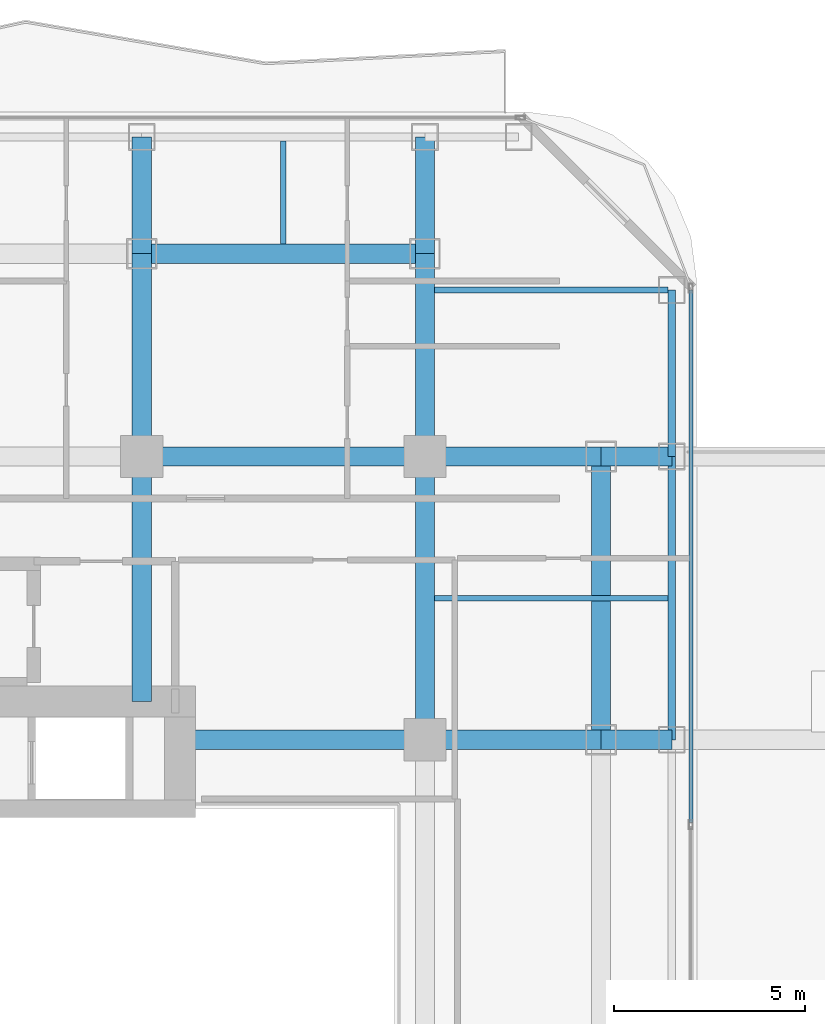
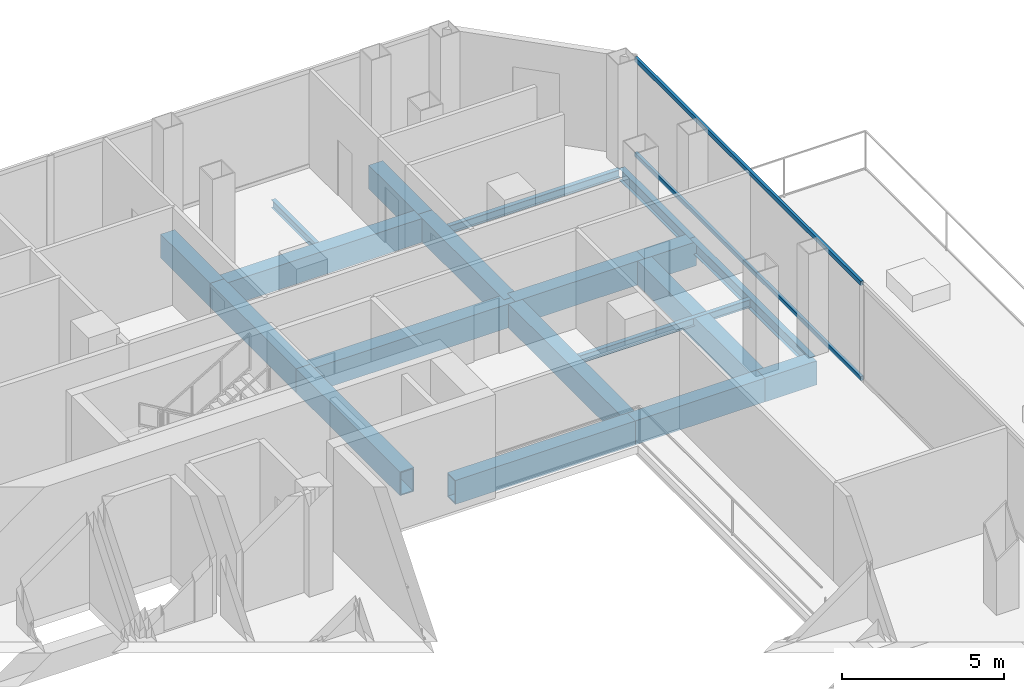
# One storey, part 15 of 27: 19 beams, 2 members, 1 element without a shape of its own.
"""IFC4 building model written with IfcOpenShell, lengths in metres."""

import ifcopenshell
import ifcopenshell.guid

model = None  # the IFC model being written
_history = None  # IfcOwnerHistory: only IFC2X3 demands one
_inside = {}  # id of a spatial element -> (the spatial element, [elements in it])
_under = {}  # id of a project, library or spatial element -> (it, [spatial elements below it])
_declared = {}  # id of a project -> (the project, [libraries it declares])
_typed = {}  # id of a type object -> (the type object, [elements of that type])
_made_of = {}  # id of a material, layer set ... -> (it, [elements and type objects made of it])


def new_model(schema):
    """Start an empty IFC model of exactly this schema.

    Asked for "IFC4X3", IfcOpenShell would pick the latest addendum, in which some entities
    have other attributes; the version numbers below select the first issue.
    IFC2X3 requires an IfcOwnerHistory on every rooted entity: one is made here for all.
    """
    global model, _history
    if schema == "IFC4X3":
        model = ifcopenshell.file(schema_version=(4, 3, 0, 0))
    else:
        model = ifcopenshell.file(schema=schema)
    _inside.clear()
    _under.clear()
    _declared.clear()
    _typed.clear()
    _made_of.clear()
    _history = None
    if model.schema == "IFC2X3":
        org = make("IfcOrganization", Name="unknown")
        user = make(
            "IfcPersonAndOrganization",
            ThePerson=make("IfcPerson", FamilyName="unknown"),
            TheOrganization=org,
        )
        app = make(
            "IfcApplication",
            ApplicationDeveloper=org,
            Version="unknown",
            ApplicationFullName="unknown",
            ApplicationIdentifier="unknown",
        )
        _history = make(
            "IfcOwnerHistory",
            OwningUser=user,
            OwningApplication=app,
            ChangeAction="ADDED",
            CreationDate=0,
        )
    return model


def make(cls, **values):
    """One entity of the class cls with the attributes given. An attribute that is None is left unset."""
    return model.create_entity(
        cls, **{name: value for name, value in values.items() if value is not None}
    )


def rooted(cls, **values):
    """An entity with a GlobalId (a new one), such as an element, a storey or a relation."""
    return make(cls, GlobalId=ifcopenshell.guid.new(), OwnerHistory=_history, **values)


def si_unit(unit_type, name, prefix=None):
    """IfcSIUnit, for example si_unit("LENGTHUNIT", "METRE", prefix="MILLI")."""
    return make("IfcSIUnit", UnitType=unit_type, Prefix=prefix, Name=name)


def assignment(units):
    """IfcUnitAssignment: the units of a project."""
    return None if units is None else make("IfcUnitAssignment", Units=units)


def point(xyz):
    """IfcCartesianPoint."""
    return None if xyz is None else make("IfcCartesianPoint", Coordinates=xyz)


def direction(xyz):
    """IfcDirection."""
    return None if xyz is None else make("IfcDirection", DirectionRatios=xyz)


def frame(location, z_axis=None, x_axis=None):
    """IfcAxis2Placement3D, a coordinate frame: its origin and axes. An axis left out is left unset."""
    return make(
        "IfcAxis2Placement3D",
        Location=point(location),
        Axis=direction(z_axis),
        RefDirection=direction(x_axis),
    )


def frame_2d(location, x_axis=None):
    """IfcAxis2Placement2D, a coordinate frame in the plane: its origin and x axis."""
    return make(
        "IfcAxis2Placement2D", Location=point(location), RefDirection=direction(x_axis)
    )


def origin():
    """The frame at (0, 0, 0) with its axes left unset."""
    return frame((0.0, 0.0, 0.0))


def origin_2d():
    """The frame at (0, 0) in the plane with its x axis left unset."""
    return frame_2d((0.0, 0.0))


def place(relative_to, where):
    """IfcLocalPlacement: puts the frame where relative to a parent placement (None: the world)."""
    return make(
        "IfcLocalPlacement", PlacementRelTo=relative_to, RelativePlacement=where
    )


def context(
    kind, dimensions, precision=None, world=None, true_north=None, identifier=None
):
    """IfcGeometricRepresentationContext, for example the 3D "Model" context."""
    return make(
        "IfcGeometricRepresentationContext",
        ContextIdentifier=identifier,
        ContextType=kind,
        CoordinateSpaceDimension=dimensions,
        Precision=precision,
        WorldCoordinateSystem=world,
        TrueNorth=true_north,
    )


def subcontext(parent, identifier, kind, view, scale=None):
    """IfcGeometricRepresentationSubContext, for example "Body" below "Model"."""
    return make(
        "IfcGeometricRepresentationSubContext",
        ContextIdentifier=identifier,
        ContextType=kind,
        ParentContext=parent,
        TargetScale=scale,
        TargetView=view,
    )


def project(units=None, contexts=None):
    """IfcProject with its units and contexts."""
    return rooted(
        "IfcProject",
        Name="project",
        RepresentationContexts=contexts,
        UnitsInContext=assignment(units),
    )


def spatial(cls, under=None, at=None, **own):
    """A site, building, storey or space (cls), placed at a placement, below another one or the project."""
    s = rooted(cls, ObjectPlacement=at, **own)
    if under is not None:
        _under.setdefault(under.id(), (under, []))[1].append(s)
    return s


def profile(cls, at=None, kind="AREA", **sizes):
    """A parametric profile (cls). Its sizes go by their IFC names, for example OverallWidth=200.0."""
    return make(cls, ProfileType=kind, Position=at, **sizes)


def hollow_rectangle(**sizes):
    """IfcRectangleHollowProfileDef."""
    return profile("IfcRectangleHollowProfileDef", **sizes)


def i_section(**sizes):
    """IfcIShapeProfileDef."""
    return profile("IfcIShapeProfileDef", **sizes)


def extrude(swept, where, along, depth):
    """IfcExtrudedAreaSolid: the profile swept, set in the frame where, extruded along a direction by depth."""
    return make(
        "IfcExtrudedAreaSolid",
        SweptArea=swept,
        Position=where,
        ExtrudedDirection=direction(along),
        Depth=depth,
    )


def shape(context_of_items, identifier, shape_type, items):
    """IfcShapeRepresentation: the items that make up one representation, for example the "Body"."""
    return make(
        "IfcShapeRepresentation",
        ContextOfItems=context_of_items,
        RepresentationIdentifier=identifier,
        RepresentationType=shape_type,
        Items=items,
    )


def material(Name=None, Category=None):
    """IfcMaterial."""
    return make("IfcMaterial", Name=Name, Category=Category)


def layer(
    of_material, thickness, ventilated=None, Name=None, Category=None, Priority=None
):
    """IfcMaterialLayer: one layer of a wall or slab, of a material (None: an air gap)."""
    return make(
        "IfcMaterialLayer",
        Material=of_material,
        LayerThickness=thickness,
        IsVentilated=ventilated,
        Name=Name,
        Category=Category,
        Priority=Priority,
    )


def layer_set(layers, Name=None):
    """IfcMaterialLayerSet."""
    return make("IfcMaterialLayerSet", MaterialLayers=layers, LayerSetName=Name)


def material_profile(
    of_material, cross_section, Name=None, Category=None, Priority=None
):
    """IfcMaterialProfile: a cross section and its material."""
    return make(
        "IfcMaterialProfile",
        Name=Name,
        Material=of_material,
        Profile=cross_section,
        Priority=Priority,
        Category=Category,
    )


def profile_set(profiles, Name=None, composite=None):
    """IfcMaterialProfileSet."""
    return make(
        "IfcMaterialProfileSet",
        Name=Name,
        MaterialProfiles=profiles,
        CompositeProfile=composite,
    )


def made_of(thing, what):
    """Note that an element or type object is made of a material, layer set ...; save() writes the relation."""
    if what is not None:
        _made_of.setdefault(what.id(), (what, []))[1].append(thing)
    return thing


def type_object(cls, material=None, **own):
    """A type object (cls), such as IfcWallType, which elements share."""
    return made_of(rooted(cls, **own), material)


def element(
    cls,
    number,
    at=None,
    inside=None,
    cuts=None,
    type_object=None,
    material=None,
    context=None,
    identifier="Body",
    shape_type=None,
    held_by="IfcProductDefinitionShape",
    body=None,
    shapes=None,
    **own,
):
    """One element of the class cls, such as IfcWall. Its Tag is "e" and its number.

    at: its placement. inside: the storey or other place that contains it. cuts: it is an
    opening in that element (IfcRelVoidsElement). A single representation is given by context,
    identifier, shape_type and body (its items); several are given by shapes. held_by: the class
    of the entity that holds the representations. save() writes the other relations.
    """
    e = rooted(cls, Tag="e%d" % number, ObjectPlacement=at, **own)
    if body is not None:
        shapes = [shape(context, identifier, shape_type, body)]
    if shapes is not None:
        e.Representation = make(held_by, Representations=shapes)
    if inside is not None:
        _inside.setdefault(inside.id(), (inside, []))[1].append(e)
    if cuts is not None:
        rooted(
            "IfcRelVoidsElement", RelatingBuildingElement=cuts, RelatedOpeningElement=e
        )
    if type_object is not None:
        _typed.setdefault(type_object.id(), (type_object, []))[1].append(e)
    return made_of(e, material)


def aggregate(whole, parts):
    """IfcRelAggregates: a whole, such as a stair, and the parts it consists of."""
    return rooted("IfcRelAggregates", RelatingObject=whole, RelatedObjects=parts)


def save(model, path):
    """Write the relations noted so far, then the file.

    IfcRelAggregates (storeys below a building ...), IfcRelContainedInSpatialStructure (elements
    in a storey), IfcRelDefinesByType, IfcRelAssociatesMaterial and IfcRelDeclares: one each for
    every whole, place, type object, material and project.
    """
    for whole, parts in _under.values():
        aggregate(whole, parts)
    for where, things in _inside.values():
        rooted(
            "IfcRelContainedInSpatialStructure",
            RelatedElements=things,
            RelatingStructure=where,
        )
    for kind, things in _typed.values():
        rooted("IfcRelDefinesByType", RelatedObjects=things, RelatingType=kind)
    for what, things in _made_of.values():
        rooted("IfcRelAssociatesMaterial", RelatedObjects=things, RelatingMaterial=what)
    for by, libraries in _declared.values():
        rooted("IfcRelDeclares", RelatingContext=by, RelatedDefinitions=libraries)
    model.write(path)


model = new_model("IFC4")

# Units and contexts
model_context = context("Model", 3, precision=1e-05, world=origin(), true_north=direction((0.0, 1.0)))
body_context = subcontext(model_context, "Body", "Model", "MODEL_VIEW")
ifc_project = project(units=[si_unit("LENGTHUNIT", "METRE"), si_unit("AREAUNIT", "SQUARE_METRE"), si_unit("VOLUMEUNIT", "CUBIC_METRE"), si_unit("PLANEANGLEUNIT", "RADIAN"), si_unit("MASSUNIT", "GRAM", prefix="KILO")], contexts=[model_context])

# Site, building, storey
site_placement = place(None, origin())
site = spatial("IfcSite", under=ifc_project, at=site_placement, CompositionType="ELEMENT")
building_placement = place(site_placement, origin())
building = spatial("IfcBuilding", under=site, at=building_placement, Name="Khorvyn Point Tower", CompositionType="ELEMENT")
storey_placement = place(building_placement, frame((0.0, 0.0, 168.0)))
storey = spatial("IfcBuildingStorey", under=building, at=storey_placement, Name="L41", CompositionType="ELEMENT", Elevation=168.0)

# Curtain wall, members
ifc_material_1 = material(Name="Anodised aluminium 6063-T6 and laminated Low-E glass", Category="aluminium")
ifc_layer = layer(ifc_material_1, 0.18994140625)
ifc_layer_set = layer_set([ifc_layer], Name="Stick-Built Acoustic Curtain Wall CW-SYS-03")
curtain_wall_type = type_object("IfcCurtainWallType", Name="Stick-Built Acoustic Curtain Wall CW-SYS-03", PredefinedType="NOTDEFINED", material=ifc_layer_set)
curtain_wall_placement = place(storey_placement, origin())
curtain_wall = element("IfcCurtainWall", 1, at=curtain_wall_placement, inside=storey, type_object=curtain_wall_type, Name="Curtain Wall", PredefinedType="NOTDEFINED")
ifc_material_2 = material(Name="Anodised aluminium 6063-T6", Category="aluminium")
ifc_material_profile_1 = material_profile(ifc_material_2, hollow_rectangle(XDim=0.10009765625, YDim=0.159912109375, WallThickness=0.00439453125, at=origin_2d()))
ifc_profile_set_1 = profile_set([ifc_material_profile_1], Name="Anodised aluminium 6063-T6 ALU-TRN-100x160")
member_type = type_object("IfcMemberType", Name="Anodised Aluminium 6063-T6 Transom ALU-TRN-100x160", PredefinedType="USERDEFINED", material=ifc_profile_set_1)
member_1_placement = place(storey_placement, frame((21.75, 19.14990234375, 0.050048828125), z_axis=(0.0, -1.0, 0.0), x_axis=(1.0, 0.0, 0.0)))
member_1 = element("IfcMember", 2, at=member_1_placement, type_object=member_type, Name="Transom", ObjectType="TRANSOM", PredefinedType="USERDEFINED", context=body_context, shape_type="SweptSolid", body=[
    extrude(hollow_rectangle(XDim=0.10009765625, YDim=0.159912109375, WallThickness=0.00439453125, at=origin_2d()), origin(), (0.0, 0.0, 1.0), 13.91748046875),
])
member_2_placement = place(storey_placement, frame((21.75, 19.14990234375, 3.6298828125), z_axis=(0.0, -1.0, 0.0), x_axis=(1.0, 0.0, 0.0)))
member_2 = element("IfcMember", 3, at=member_2_placement, type_object=member_type, Name="Transom", ObjectType="TRANSOM", PredefinedType="USERDEFINED", context=body_context, shape_type="SweptSolid", body=[
    extrude(hollow_rectangle(XDim=0.10009765625, YDim=0.159912109375, WallThickness=0.00439453125, at=origin_2d()), origin(), (0.0, 0.0, 1.0), 13.91748046875),
])
aggregate(curtain_wall, [member_1, member_2])

# Beams
ifc_material_3 = material(Name="Steel S355", Category="steel")
ifc_material_profile_2 = material_profile(ifc_material_3, i_section(OverallWidth=0.14990234375, OverallDepth=0.300048828125, WebThickness=0.006591796875, FlangeThickness=0.009033203125, at=origin_2d()))
ifc_profile_set_2 = profile_set([ifc_material_profile_2], Name="Steel S355 H300x150x6.5x9")
beam_type_1 = type_object("IfcBeamType", Name="Steel S355 Joist H300x150x6.5x9", PredefinedType="JOIST", material=ifc_profile_set_2)
beam_1_placement = place(storey_placement, frame((15.050048828125, 11.10009765625, -0.429931640625), z_axis=(1.0, 0.0, 0.0), x_axis=(0.0, 1.0, 0.0)))
element("IfcBeam", 4, at=beam_1_placement, inside=storey, type_object=beam_type_1, Name="Beam", PredefinedType="JOIST", context=body_context, shape_type="SweptSolid", body=[
    extrude(i_section(OverallWidth=0.14990234375, OverallDepth=0.300048828125, WebThickness=0.006591796875, FlangeThickness=0.009033203125, at=origin_2d()), origin(), (0.0, 0.0, 1.0), 6.099853515625),
])
beam_2_placement = place(storey_placement, frame((11.10009765625, 20.35009765625, -0.429931640625), z_axis=(0.0, 1.0, 0.0), x_axis=(-1.0, 0.0, 0.0)))
element("IfcBeam", 5, at=beam_2_placement, inside=storey, type_object=beam_type_1, Name="Beam", PredefinedType="JOIST", context=body_context, shape_type="SweptSolid", body=[
    extrude(i_section(OverallWidth=0.14990234375, OverallDepth=0.300048828125, WebThickness=0.006591796875, FlangeThickness=0.009033203125, at=origin_2d()), origin(), (0.0, 0.0, 1.0), 2.699951171875),
])
beam_3_placement = place(storey_placement, frame((15.050048828125, 19.14990234375, -0.429931640625), z_axis=(1.0, 0.0, 0.0), x_axis=(0.0, 1.0, 0.0)))
element("IfcBeam", 6, at=beam_3_placement, inside=storey, type_object=beam_type_1, Name="Beam", PredefinedType="JOIST", context=body_context, shape_type="SweptSolid", body=[
    extrude(i_section(OverallWidth=0.14990234375, OverallDepth=0.300048828125, WebThickness=0.006591796875, FlangeThickness=0.009033203125, at=origin_2d()), origin(), (0.0, 0.0, 1.0), 6.099853515625),
])
ifc_material_profile_3 = material_profile(ifc_material_3, i_section(OverallWidth=0.199951171875, OverallDepth=0.449951171875, WebThickness=0.009033203125, FlangeThickness=0.013916015625, at=origin_2d()))
ifc_profile_set_3 = profile_set([ifc_material_profile_3], Name="Steel S355 H450x200x9x14")
beam_type_2 = type_object("IfcBeamType", Name="Steel S355 Spandrel H450x200x9x14", PredefinedType="SPANDREL", material=ifc_profile_set_3)
beam_4_placement = place(storey_placement, frame((21.25, 7.39990234375, -0.5048828125), z_axis=(0.0, 1.0, 0.0), x_axis=(-1.0, 0.0, 0.0)))
element("IfcBeam", 7, at=beam_4_placement, inside=storey, type_object=beam_type_2, Name="Beam", PredefinedType="SPANDREL", context=body_context, shape_type="SweptSolid", body=[
    extrude(i_section(OverallWidth=0.199951171875, OverallDepth=0.449951171875, WebThickness=0.009033203125, FlangeThickness=0.013916015625, at=origin_2d()), origin(), (0.0, 0.0, 1.0), 7.400146484375),
])
beam_5_placement = place(storey_placement, frame((21.25, 14.800048828125, -0.5048828125), z_axis=(0.0, 1.0, 0.0), x_axis=(-1.0, 0.0, 0.0)))
element("IfcBeam", 8, at=beam_5_placement, inside=storey, type_object=beam_type_2, Name="Beam", PredefinedType="SPANDREL", context=body_context, shape_type="SweptSolid", body=[
    extrude(i_section(OverallWidth=0.199951171875, OverallDepth=0.449951171875, WebThickness=0.009033203125, FlangeThickness=0.013916015625, at=origin_2d()), origin(), (0.0, 0.0, 1.0), 4.349853515625),
])
ifc_material_4 = material(Name="Steel S450", Category="steel")
ifc_material_profile_4 = material_profile(ifc_material_4, hollow_rectangle(XDim=0.5, YDim=0.89990234375, WallThickness=0.0400390625, at=origin_2d()))
ifc_profile_set_4 = profile_set([ifc_material_profile_4], Name="Steel S450 BOX900x500x40")
beam_type_3 = type_object("IfcBeamType", Name="Steel S450 Beam BOX900x500x40", PredefinedType="BEAM", material=ifc_profile_set_4)
beam_6_placement = place(storey_placement, frame((7.39990234375, 14.800048828125, -0.72998046875), z_axis=(1.0, 0.0, 0.0), x_axis=(0.0, 1.0, 0.0)))
element("IfcBeam", 9, at=beam_6_placement, inside=storey, type_object=beam_type_3, Name="L41 Radial Transfer Girder", PredefinedType="BEAM", context=body_context, shape_type="SweptSolid", body=[
    extrude(hollow_rectangle(XDim=0.5, YDim=0.89990234375, WallThickness=0.0400390625, at=origin_2d()), origin(), (0.0, 0.0, 1.0), 7.400146484375),
])
beam_7_placement = place(storey_placement, frame((14.800048828125, 14.800048828125, -0.72998046875), z_axis=(1.0, 0.0, 0.0), x_axis=(0.0, 1.0, 0.0)))
element("IfcBeam", 10, at=beam_7_placement, inside=storey, type_object=beam_type_3, Name="L41 Radial Transfer Girder", PredefinedType="BEAM", context=body_context, shape_type="SweptSolid", body=[
    extrude(hollow_rectangle(XDim=0.5, YDim=0.89990234375, WallThickness=0.0400390625, at=origin_2d()), origin(), (0.0, 0.0, 1.0), 4.599853515625),
])
beam_8_placement = place(storey_placement, frame((19.39990234375, 14.800048828125, -0.72998046875), z_axis=(1.0, 0.0, 0.0), x_axis=(0.0, 1.0, 0.0)))
element("IfcBeam", 11, at=beam_8_placement, inside=storey, type_object=beam_type_3, Name="L41 Radial Transfer Girder", PredefinedType="BEAM", context=body_context, shape_type="SweptSolid", body=[
    extrude(hollow_rectangle(XDim=0.5, YDim=0.89990234375, WallThickness=0.0400390625, at=origin_2d()), origin(), (0.0, 0.0, 1.0), 1.85009765625),
])
beam_9_placement = place(storey_placement, frame((8.39990234375, 7.39990234375, -0.72998046875), z_axis=(1.0, 0.0, 0.0), x_axis=(0.0, 1.0, 0.0)))
element("IfcBeam", 12, at=beam_9_placement, inside=storey, type_object=beam_type_3, Name="Beam", PredefinedType="BEAM", context=body_context, shape_type="SweptSolid", body=[
    extrude(hollow_rectangle(XDim=0.5, YDim=0.89990234375, WallThickness=0.0400390625, at=origin_2d()), origin(), (0.0, 0.0, 1.0), 6.400146484375),
])
beam_10_placement = place(storey_placement, frame((14.800048828125, 7.39990234375, -0.72998046875), z_axis=(1.0, 0.0, 0.0), x_axis=(0.0, 1.0, 0.0)))
element("IfcBeam", 13, at=beam_10_placement, inside=storey, type_object=beam_type_3, Name="Beam", PredefinedType="BEAM", context=body_context, shape_type="SweptSolid", body=[
    extrude(hollow_rectangle(XDim=0.5, YDim=0.89990234375, WallThickness=0.0400390625, at=origin_2d()), origin(), (0.0, 0.0, 1.0), 4.599853515625),
])
beam_11_placement = place(storey_placement, frame((19.39990234375, 7.39990234375, -0.72998046875), z_axis=(1.0, 0.0, 0.0), x_axis=(0.0, 1.0, 0.0)))
element("IfcBeam", 14, at=beam_11_placement, inside=storey, type_object=beam_type_3, Name="Beam", PredefinedType="BEAM", context=body_context, shape_type="SweptSolid", body=[
    extrude(hollow_rectangle(XDim=0.5, YDim=0.89990234375, WallThickness=0.0400390625, at=origin_2d()), origin(), (0.0, 0.0, 1.0), 1.85009765625),
])
for number, where, z_axis, x_axis, name in (
    (15, (7.39990234375, 20.10009765625, -0.72998046875), (1.0, 0.0, 0.0), (0.0, 1.0, 0.0), "Beam"),
    (16, (14.800048828125, 7.39990234375, -0.72998046875), (0.0, 1.0, 0.0), (-1.0, 0.0, 0.0), "L41 Radial Transfer Girder"),
):
    element("IfcBeam", number, at=place(storey_placement, frame(where, z_axis=z_axis, x_axis=x_axis)), inside=storey, type_object=beam_type_3, Name=name, PredefinedType="BEAM", context=body_context, shape_type="SweptSolid", body=[
        extrude(hollow_rectangle(XDim=0.5, YDim=0.89990234375, WallThickness=0.0400390625, at=origin_2d()), origin(), (0.0, 0.0, 1.0), 7.400146484375),
    ])
beam_12_placement = place(storey_placement, frame((14.800048828125, 14.800048828125, -0.72998046875), z_axis=(0.0, 1.0, 0.0), x_axis=(-1.0, 0.0, 0.0)))
element("IfcBeam", 17, at=beam_12_placement, inside=storey, type_object=beam_type_3, Name="L41 Radial Transfer Girder", PredefinedType="BEAM", context=body_context, shape_type="SweptSolid", body=[
    extrude(hollow_rectangle(XDim=0.5, YDim=0.89990234375, WallThickness=0.0400390625, at=origin_2d()), origin(), (0.0, 0.0, 1.0), 5.300048828125),
])
beam_13_placement = place(storey_placement, frame((14.800048828125, 20.10009765625, -0.72998046875), z_axis=(0.0, 1.0, 0.0), x_axis=(-1.0, 0.0, 0.0)))
element("IfcBeam", 18, at=beam_13_placement, inside=storey, type_object=beam_type_3, Name="L41 Radial Transfer Girder", PredefinedType="BEAM", context=body_context, shape_type="SweptSolid", body=[
    extrude(hollow_rectangle(XDim=0.5, YDim=0.89990234375, WallThickness=0.0400390625, at=origin_2d()), origin(), (0.0, 0.0, 1.0), 3.0498046875),
])
beam_14_placement = place(storey_placement, frame((7.39990234375, 8.39990234375, -0.72998046875), z_axis=(0.0, 1.0, 0.0), x_axis=(-1.0, 0.0, 0.0)))
element("IfcBeam", 19, at=beam_14_placement, inside=storey, type_object=beam_type_3, Name="Beam", PredefinedType="BEAM", context=body_context, shape_type="SweptSolid", body=[
    extrude(hollow_rectangle(XDim=0.5, YDim=0.89990234375, WallThickness=0.0400390625, at=origin_2d()), origin(), (0.0, 0.0, 1.0), 6.400146484375),
])
beam_15_placement = place(storey_placement, frame((7.39990234375, 14.800048828125, -0.72998046875), z_axis=(0.0, 1.0, 0.0), x_axis=(-1.0, 0.0, 0.0)))
element("IfcBeam", 20, at=beam_15_placement, inside=storey, type_object=beam_type_3, Name="Beam", PredefinedType="BEAM", context=body_context, shape_type="SweptSolid", body=[
    extrude(hollow_rectangle(XDim=0.5, YDim=0.89990234375, WallThickness=0.0400390625, at=origin_2d()), origin(), (0.0, 0.0, 1.0), 5.300048828125),
])
beam_16_placement = place(storey_placement, frame((7.39990234375, 20.10009765625, -0.72998046875), z_axis=(0.0, 1.0, 0.0), x_axis=(-1.0, 0.0, 0.0)))
element("IfcBeam", 21, at=beam_16_placement, inside=storey, type_object=beam_type_3, Name="Beam", PredefinedType="BEAM", context=body_context, shape_type="SweptSolid", body=[
    extrude(hollow_rectangle(XDim=0.5, YDim=0.89990234375, WallThickness=0.0400390625, at=origin_2d()), origin(), (0.0, 0.0, 1.0), 3.0498046875),
])
beam_17_placement = place(storey_placement, frame((19.39990234375, 7.39990234375, -0.72998046875), z_axis=(0.0, 1.0, 0.0), x_axis=(-1.0, 0.0, 0.0)))
element("IfcBeam", 22, at=beam_17_placement, inside=storey, type_object=beam_type_3, Name="Beam", PredefinedType="BEAM", context=body_context, shape_type="SweptSolid", body=[
    extrude(hollow_rectangle(XDim=0.5, YDim=0.89990234375, WallThickness=0.0400390625, at=origin_2d()), origin(), (0.0, 0.0, 1.0), 7.400146484375),
])

save(model, "model.ifc")
